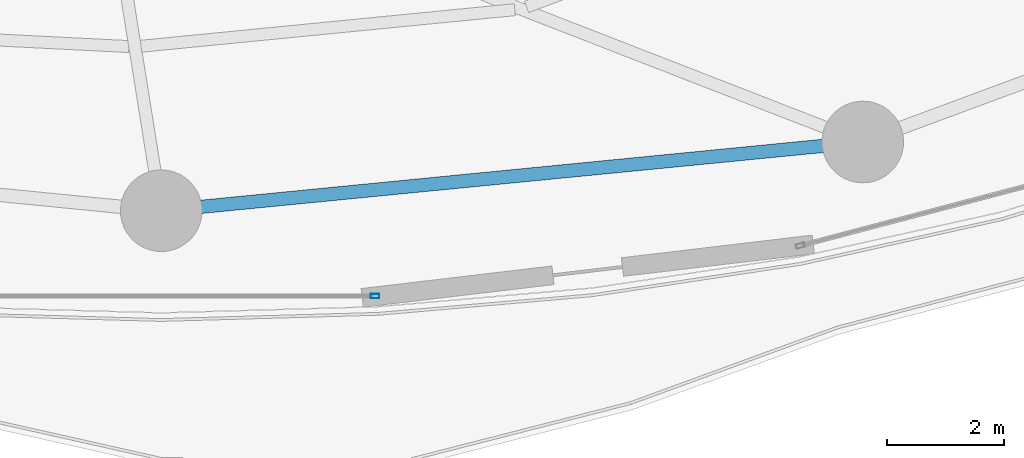
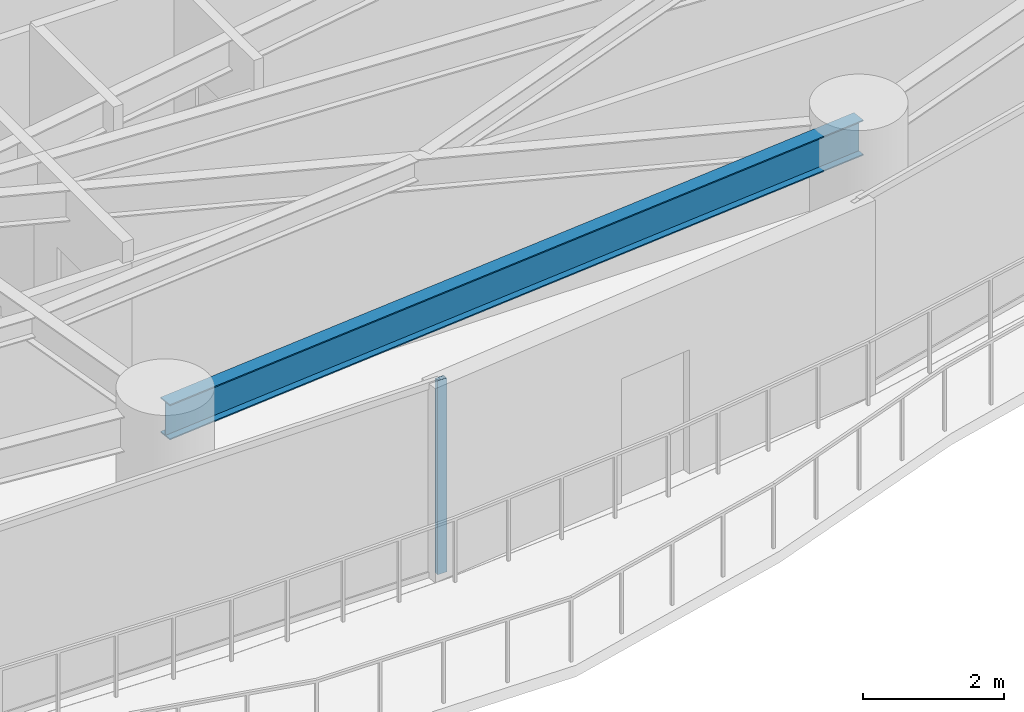
# One storey, part 10 of 32: 1 beam, 1 member, 1 element without a shape of its own.
"""IFC4 building model written with IfcOpenShell, lengths in metres."""

import ifcopenshell
import ifcopenshell.guid

model = None  # the IFC model being written
_history = None  # IfcOwnerHistory: only IFC2X3 demands one
_inside = {}  # id of a spatial element -> (the spatial element, [elements in it])
_under = {}  # id of a project, library or spatial element -> (it, [spatial elements below it])
_declared = {}  # id of a project -> (the project, [libraries it declares])
_typed = {}  # id of a type object -> (the type object, [elements of that type])
_made_of = {}  # id of a material, layer set ... -> (it, [elements and type objects made of it])


def new_model(schema):
    """Start an empty IFC model of exactly this schema.

    Asked for "IFC4X3", IfcOpenShell would pick the latest addendum, in which some entities
    have other attributes; the version numbers below select the first issue.
    IFC2X3 requires an IfcOwnerHistory on every rooted entity: one is made here for all.
    """
    global model, _history
    if schema == "IFC4X3":
        model = ifcopenshell.file(schema_version=(4, 3, 0, 0))
    else:
        model = ifcopenshell.file(schema=schema)
    _inside.clear()
    _under.clear()
    _declared.clear()
    _typed.clear()
    _made_of.clear()
    _history = None
    if model.schema == "IFC2X3":
        org = make("IfcOrganization", Name="unknown")
        user = make(
            "IfcPersonAndOrganization",
            ThePerson=make("IfcPerson", FamilyName="unknown"),
            TheOrganization=org,
        )
        app = make(
            "IfcApplication",
            ApplicationDeveloper=org,
            Version="unknown",
            ApplicationFullName="unknown",
            ApplicationIdentifier="unknown",
        )
        _history = make(
            "IfcOwnerHistory",
            OwningUser=user,
            OwningApplication=app,
            ChangeAction="ADDED",
            CreationDate=0,
        )
    return model


def make(cls, **values):
    """One entity of the class cls with the attributes given. An attribute that is None is left unset."""
    return model.create_entity(
        cls, **{name: value for name, value in values.items() if value is not None}
    )


def rooted(cls, **values):
    """An entity with a GlobalId (a new one), such as an element, a storey or a relation."""
    return make(cls, GlobalId=ifcopenshell.guid.new(), OwnerHistory=_history, **values)


def si_unit(unit_type, name, prefix=None):
    """IfcSIUnit, for example si_unit("LENGTHUNIT", "METRE", prefix="MILLI")."""
    return make("IfcSIUnit", UnitType=unit_type, Prefix=prefix, Name=name)


def assignment(units):
    """IfcUnitAssignment: the units of a project."""
    return None if units is None else make("IfcUnitAssignment", Units=units)


def point(xyz):
    """IfcCartesianPoint."""
    return None if xyz is None else make("IfcCartesianPoint", Coordinates=xyz)


def direction(xyz):
    """IfcDirection."""
    return None if xyz is None else make("IfcDirection", DirectionRatios=xyz)


def frame(location, z_axis=None, x_axis=None):
    """IfcAxis2Placement3D, a coordinate frame: its origin and axes. An axis left out is left unset."""
    return make(
        "IfcAxis2Placement3D",
        Location=point(location),
        Axis=direction(z_axis),
        RefDirection=direction(x_axis),
    )


def frame_2d(location, x_axis=None):
    """IfcAxis2Placement2D, a coordinate frame in the plane: its origin and x axis."""
    return make(
        "IfcAxis2Placement2D", Location=point(location), RefDirection=direction(x_axis)
    )


def origin():
    """The frame at (0, 0, 0) with its axes left unset."""
    return frame((0.0, 0.0, 0.0))


def origin_2d():
    """The frame at (0, 0) in the plane with its x axis left unset."""
    return frame_2d((0.0, 0.0))


def place(relative_to, where):
    """IfcLocalPlacement: puts the frame where relative to a parent placement (None: the world)."""
    return make(
        "IfcLocalPlacement", PlacementRelTo=relative_to, RelativePlacement=where
    )


def context(
    kind, dimensions, precision=None, world=None, true_north=None, identifier=None
):
    """IfcGeometricRepresentationContext, for example the 3D "Model" context."""
    return make(
        "IfcGeometricRepresentationContext",
        ContextIdentifier=identifier,
        ContextType=kind,
        CoordinateSpaceDimension=dimensions,
        Precision=precision,
        WorldCoordinateSystem=world,
        TrueNorth=true_north,
    )


def subcontext(parent, identifier, kind, view, scale=None):
    """IfcGeometricRepresentationSubContext, for example "Body" below "Model"."""
    return make(
        "IfcGeometricRepresentationSubContext",
        ContextIdentifier=identifier,
        ContextType=kind,
        ParentContext=parent,
        TargetScale=scale,
        TargetView=view,
    )


def project(units=None, contexts=None):
    """IfcProject with its units and contexts."""
    return rooted(
        "IfcProject",
        Name="project",
        RepresentationContexts=contexts,
        UnitsInContext=assignment(units),
    )


def spatial(cls, under=None, at=None, **own):
    """A site, building, storey or space (cls), placed at a placement, below another one or the project."""
    s = rooted(cls, ObjectPlacement=at, **own)
    if under is not None:
        _under.setdefault(under.id(), (under, []))[1].append(s)
    return s


def profile(cls, at=None, kind="AREA", **sizes):
    """A parametric profile (cls). Its sizes go by their IFC names, for example OverallWidth=200.0."""
    return make(cls, ProfileType=kind, Position=at, **sizes)


def hollow_rectangle(**sizes):
    """IfcRectangleHollowProfileDef."""
    return profile("IfcRectangleHollowProfileDef", **sizes)


def i_section(**sizes):
    """IfcIShapeProfileDef."""
    return profile("IfcIShapeProfileDef", **sizes)


def extrude(swept, where, along, depth):
    """IfcExtrudedAreaSolid: the profile swept, set in the frame where, extruded along a direction by depth."""
    return make(
        "IfcExtrudedAreaSolid",
        SweptArea=swept,
        Position=where,
        ExtrudedDirection=direction(along),
        Depth=depth,
    )


def shape(context_of_items, identifier, shape_type, items):
    """IfcShapeRepresentation: the items that make up one representation, for example the "Body"."""
    return make(
        "IfcShapeRepresentation",
        ContextOfItems=context_of_items,
        RepresentationIdentifier=identifier,
        RepresentationType=shape_type,
        Items=items,
    )


def material(Name=None, Category=None):
    """IfcMaterial."""
    return make("IfcMaterial", Name=Name, Category=Category)


def layer(
    of_material, thickness, ventilated=None, Name=None, Category=None, Priority=None
):
    """IfcMaterialLayer: one layer of a wall or slab, of a material (None: an air gap)."""
    return make(
        "IfcMaterialLayer",
        Material=of_material,
        LayerThickness=thickness,
        IsVentilated=ventilated,
        Name=Name,
        Category=Category,
        Priority=Priority,
    )


def layer_set(layers, Name=None):
    """IfcMaterialLayerSet."""
    return make("IfcMaterialLayerSet", MaterialLayers=layers, LayerSetName=Name)


def material_profile(
    of_material, cross_section, Name=None, Category=None, Priority=None
):
    """IfcMaterialProfile: a cross section and its material."""
    return make(
        "IfcMaterialProfile",
        Name=Name,
        Material=of_material,
        Profile=cross_section,
        Priority=Priority,
        Category=Category,
    )


def profile_set(profiles, Name=None, composite=None):
    """IfcMaterialProfileSet."""
    return make(
        "IfcMaterialProfileSet",
        Name=Name,
        MaterialProfiles=profiles,
        CompositeProfile=composite,
    )


def made_of(thing, what):
    """Note that an element or type object is made of a material, layer set ...; save() writes the relation."""
    if what is not None:
        _made_of.setdefault(what.id(), (what, []))[1].append(thing)
    return thing


def type_object(cls, material=None, **own):
    """A type object (cls), such as IfcWallType, which elements share."""
    return made_of(rooted(cls, **own), material)


def element(
    cls,
    number,
    at=None,
    inside=None,
    cuts=None,
    type_object=None,
    material=None,
    context=None,
    identifier="Body",
    shape_type=None,
    held_by="IfcProductDefinitionShape",
    body=None,
    shapes=None,
    **own,
):
    """One element of the class cls, such as IfcWall. Its Tag is "e" and its number.

    at: its placement. inside: the storey or other place that contains it. cuts: it is an
    opening in that element (IfcRelVoidsElement). A single representation is given by context,
    identifier, shape_type and body (its items); several are given by shapes. held_by: the class
    of the entity that holds the representations. save() writes the other relations.
    """
    e = rooted(cls, Tag="e%d" % number, ObjectPlacement=at, **own)
    if body is not None:
        shapes = [shape(context, identifier, shape_type, body)]
    if shapes is not None:
        e.Representation = make(held_by, Representations=shapes)
    if inside is not None:
        _inside.setdefault(inside.id(), (inside, []))[1].append(e)
    if cuts is not None:
        rooted(
            "IfcRelVoidsElement", RelatingBuildingElement=cuts, RelatedOpeningElement=e
        )
    if type_object is not None:
        _typed.setdefault(type_object.id(), (type_object, []))[1].append(e)
    return made_of(e, material)


def aggregate(whole, parts):
    """IfcRelAggregates: a whole, such as a stair, and the parts it consists of."""
    return rooted("IfcRelAggregates", RelatingObject=whole, RelatedObjects=parts)


def save(model, path):
    """Write the relations noted so far, then the file.

    IfcRelAggregates (storeys below a building ...), IfcRelContainedInSpatialStructure (elements
    in a storey), IfcRelDefinesByType, IfcRelAssociatesMaterial and IfcRelDeclares: one each for
    every whole, place, type object, material and project.
    """
    for whole, parts in _under.values():
        aggregate(whole, parts)
    for where, things in _inside.values():
        rooted(
            "IfcRelContainedInSpatialStructure",
            RelatedElements=things,
            RelatingStructure=where,
        )
    for kind, things in _typed.values():
        rooted("IfcRelDefinesByType", RelatedObjects=things, RelatingType=kind)
    for what, things in _made_of.values():
        rooted("IfcRelAssociatesMaterial", RelatedObjects=things, RelatingMaterial=what)
    for by, libraries in _declared.values():
        rooted("IfcRelDeclares", RelatingContext=by, RelatedDefinitions=libraries)
    model.write(path)


model = new_model("IFC4")

# Units and contexts
model_context = context("Model", 3, precision=1e-05, world=origin(), true_north=direction((0.0, 1.0)))
body_context = subcontext(model_context, "Body", "Model", "MODEL_VIEW")
ifc_project = project(units=[si_unit("LENGTHUNIT", "METRE"), si_unit("AREAUNIT", "SQUARE_METRE"), si_unit("VOLUMEUNIT", "CUBIC_METRE"), si_unit("PLANEANGLEUNIT", "RADIAN"), si_unit("MASSUNIT", "GRAM", prefix="KILO")], contexts=[model_context])

# Site, building, storey
site_placement = place(None, origin())
site = spatial("IfcSite", under=ifc_project, at=site_placement, CompositionType="ELEMENT")
building_placement = place(site_placement, origin())
building = spatial("IfcBuilding", under=site, at=building_placement, Name="Kazevale Care Tower and Concert Hall", CompositionType="ELEMENT")
storey_placement = place(building_placement, frame((0.0, 0.0, 85.199951171875)))
storey = spatial("IfcBuildingStorey", under=building, at=storey_placement, Name="L22", CompositionType="ELEMENT", Elevation=85.199951171875)

# Curtain wall, member
ifc_material_1 = material(Name="Aluminium 6063-T6 and Low-E Glass", Category="aluminium")
ifc_layer = layer(ifc_material_1, 0.179931640625)
ifc_layer_set = layer_set([ifc_layer], Name="Aluminium 6063-T6 and Low-E Glass")
curtain_wall_type = type_object("IfcCurtainWallType", Name="Sheltered Concave Balcony Curtain Wall CW-5", PredefinedType="NOTDEFINED", material=ifc_layer_set)
curtain_wall_placement = place(storey_placement, origin())
curtain_wall = element("IfcCurtainWall", 1, at=curtain_wall_placement, inside=storey, type_object=curtain_wall_type, Name="cw:L22:f06", PredefinedType="NOTDEFINED")
ifc_material_2 = material(Name="Aluminium 6063-T6", Category="aluminium")
ifc_material_profile_1 = material_profile(ifc_material_2, hollow_rectangle(XDim=0.074951171875, YDim=0.14990234375, WallThickness=0.00390625, at=origin_2d()), Name="ALU75x150x4")
ifc_profile_set_1 = profile_set([ifc_material_profile_1], Name="Aluminium 6063-T6")
member_type = type_object("IfcMemberType", Name="CW-5 Mullion ALU75x150x4", PredefinedType="MULLION", material=ifc_profile_set_1)
member_placement = place(storey_placement, frame((48.66943359375, 15.885986328125, 0.0), z_axis=(0.0, 0.0, 1.0), x_axis=(0.0, -1.0, 0.0)))
member = element("IfcMember", 2, at=member_placement, type_object=member_type, Name="CW-5 mullion 1", PredefinedType="MULLION", context=body_context, shape_type="SweptSolid", body=[
    extrude(hollow_rectangle(XDim=0.074951171875, YDim=0.14990234375, WallThickness=0.00390625, at=origin_2d()), origin(), (0.0, 0.0, 1.0), 3.360107421875),
])
aggregate(curtain_wall, [member])

# Beam
ifc_material_3 = material(Name="Steel ASTM A572 Gr 50", Category="steel")
ifc_material_profile_2 = material_profile(ifc_material_3, i_section(OverallWidth=0.22900390625, OverallDepth=0.612060546875, WebThickness=0.011962890625, FlangeThickness=0.01953125, at=origin_2d()), Name="W610x125")
ifc_profile_set_2 = profile_set([ifc_material_profile_2], Name="Steel ASTM A572 Gr 50")
beam_type = type_object("IfcBeamType", Name="Ring Spandrel Beam W610x125", PredefinedType="SPANDREL", material=ifc_profile_set_2)
beam_placement = place(storey_placement, frame((45.0, 17.35009765625, 3.053955078125), z_axis=(0.995232251602, 0.09753340644, 0.0), x_axis=(-0.09753340644, 0.995232251602, 0.0)))
element("IfcBeam", 3, at=beam_placement, inside=storey, type_object=beam_type, Name="beam:L22:ring:13", PredefinedType="SPANDREL", context=body_context, shape_type="SweptSolid", body=[
    extrude(i_section(OverallWidth=0.22900390625, OverallDepth=0.612060546875, WebThickness=0.011962890625, FlangeThickness=0.01953125, at=origin_2d()), origin(), (0.0, 0.0, 1.0), 12.09765625),
])

save(model, "model.ifc")
